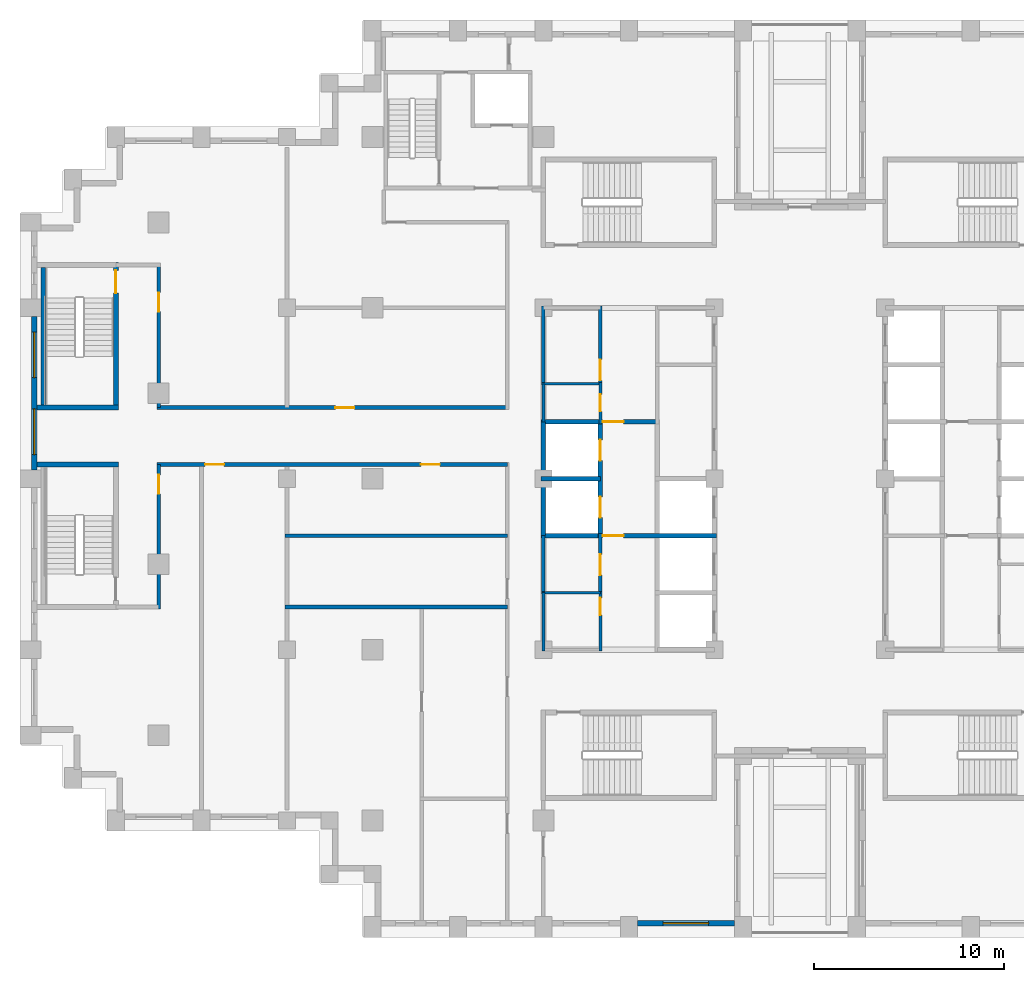
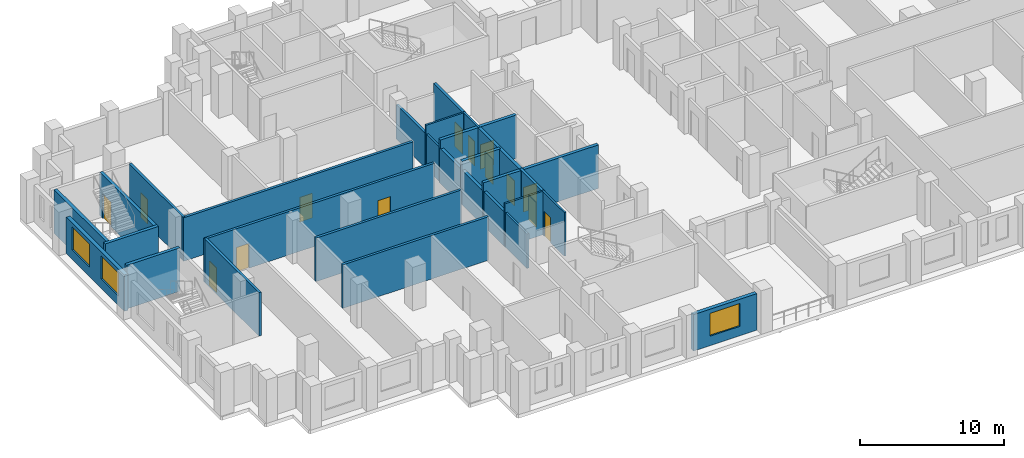
# One storey, part 3 of 12: 27 walls, 14 doors, 3 windows, 17 openings.
"""IFC4 building model written with IfcOpenShell, lengths in metres."""

import ifcopenshell
import ifcopenshell.guid

model = None  # the IFC model being written
_history = None  # IfcOwnerHistory: only IFC2X3 demands one
_inside = {}  # id of a spatial element -> (the spatial element, [elements in it])
_under = {}  # id of a project, library or spatial element -> (it, [spatial elements below it])
_declared = {}  # id of a project -> (the project, [libraries it declares])
_typed = {}  # id of a type object -> (the type object, [elements of that type])
_made_of = {}  # id of a material, layer set ... -> (it, [elements and type objects made of it])


def new_model(schema):
    """Start an empty IFC model of exactly this schema.

    Asked for "IFC4X3", IfcOpenShell would pick the latest addendum, in which some entities
    have other attributes; the version numbers below select the first issue.
    IFC2X3 requires an IfcOwnerHistory on every rooted entity: one is made here for all.
    """
    global model, _history
    if schema == "IFC4X3":
        model = ifcopenshell.file(schema_version=(4, 3, 0, 0))
    else:
        model = ifcopenshell.file(schema=schema)
    _inside.clear()
    _under.clear()
    _declared.clear()
    _typed.clear()
    _made_of.clear()
    _history = None
    if model.schema == "IFC2X3":
        org = make("IfcOrganization", Name="unknown")
        user = make(
            "IfcPersonAndOrganization",
            ThePerson=make("IfcPerson", FamilyName="unknown"),
            TheOrganization=org,
        )
        app = make(
            "IfcApplication",
            ApplicationDeveloper=org,
            Version="unknown",
            ApplicationFullName="unknown",
            ApplicationIdentifier="unknown",
        )
        _history = make(
            "IfcOwnerHistory",
            OwningUser=user,
            OwningApplication=app,
            ChangeAction="ADDED",
            CreationDate=0,
        )
    return model


def make(cls, **values):
    """One entity of the class cls with the attributes given. An attribute that is None is left unset."""
    return model.create_entity(
        cls, **{name: value for name, value in values.items() if value is not None}
    )


def rooted(cls, **values):
    """An entity with a GlobalId (a new one), such as an element, a storey or a relation."""
    return make(cls, GlobalId=ifcopenshell.guid.new(), OwnerHistory=_history, **values)


def si_unit(unit_type, name, prefix=None):
    """IfcSIUnit, for example si_unit("LENGTHUNIT", "METRE", prefix="MILLI")."""
    return make("IfcSIUnit", UnitType=unit_type, Prefix=prefix, Name=name)


def assignment(units):
    """IfcUnitAssignment: the units of a project."""
    return None if units is None else make("IfcUnitAssignment", Units=units)


def point(xyz):
    """IfcCartesianPoint."""
    return None if xyz is None else make("IfcCartesianPoint", Coordinates=xyz)


def direction(xyz):
    """IfcDirection."""
    return None if xyz is None else make("IfcDirection", DirectionRatios=xyz)


def frame(location, z_axis=None, x_axis=None):
    """IfcAxis2Placement3D, a coordinate frame: its origin and axes. An axis left out is left unset."""
    return make(
        "IfcAxis2Placement3D",
        Location=point(location),
        Axis=direction(z_axis),
        RefDirection=direction(x_axis),
    )


def frame_2d(location, x_axis=None):
    """IfcAxis2Placement2D, a coordinate frame in the plane: its origin and x axis."""
    return make(
        "IfcAxis2Placement2D", Location=point(location), RefDirection=direction(x_axis)
    )


def origin():
    """The frame at (0, 0, 0) with its axes left unset."""
    return frame((0.0, 0.0, 0.0))


def place(relative_to, where):
    """IfcLocalPlacement: puts the frame where relative to a parent placement (None: the world)."""
    return make(
        "IfcLocalPlacement", PlacementRelTo=relative_to, RelativePlacement=where
    )


def context(
    kind, dimensions, precision=None, world=None, true_north=None, identifier=None
):
    """IfcGeometricRepresentationContext, for example the 3D "Model" context."""
    return make(
        "IfcGeometricRepresentationContext",
        ContextIdentifier=identifier,
        ContextType=kind,
        CoordinateSpaceDimension=dimensions,
        Precision=precision,
        WorldCoordinateSystem=world,
        TrueNorth=true_north,
    )


def subcontext(parent, identifier, kind, view, scale=None):
    """IfcGeometricRepresentationSubContext, for example "Body" below "Model"."""
    return make(
        "IfcGeometricRepresentationSubContext",
        ContextIdentifier=identifier,
        ContextType=kind,
        ParentContext=parent,
        TargetScale=scale,
        TargetView=view,
    )


def project(units=None, contexts=None):
    """IfcProject with its units and contexts."""
    return rooted(
        "IfcProject",
        Name="project",
        RepresentationContexts=contexts,
        UnitsInContext=assignment(units),
    )


def spatial(cls, under=None, at=None, **own):
    """A site, building, storey or space (cls), placed at a placement, below another one or the project."""
    s = rooted(cls, ObjectPlacement=at, **own)
    if under is not None:
        _under.setdefault(under.id(), (under, []))[1].append(s)
    return s


def profile(cls, at=None, kind="AREA", **sizes):
    """A parametric profile (cls). Its sizes go by their IFC names, for example OverallWidth=200.0."""
    return make(cls, ProfileType=kind, Position=at, **sizes)


def rectangle(**sizes):
    """IfcRectangleProfileDef."""
    return profile("IfcRectangleProfileDef", **sizes)


def extrude(swept, where, along, depth):
    """IfcExtrudedAreaSolid: the profile swept, set in the frame where, extruded along a direction by depth."""
    return make(
        "IfcExtrudedAreaSolid",
        SweptArea=swept,
        Position=where,
        ExtrudedDirection=direction(along),
        Depth=depth,
    )


def shape(context_of_items, identifier, shape_type, items):
    """IfcShapeRepresentation: the items that make up one representation, for example the "Body"."""
    return make(
        "IfcShapeRepresentation",
        ContextOfItems=context_of_items,
        RepresentationIdentifier=identifier,
        RepresentationType=shape_type,
        Items=items,
    )


def material(Name=None, Category=None):
    """IfcMaterial."""
    return make("IfcMaterial", Name=Name, Category=Category)


def layer(
    of_material, thickness, ventilated=None, Name=None, Category=None, Priority=None
):
    """IfcMaterialLayer: one layer of a wall or slab, of a material (None: an air gap)."""
    return make(
        "IfcMaterialLayer",
        Material=of_material,
        LayerThickness=thickness,
        IsVentilated=ventilated,
        Name=Name,
        Category=Category,
        Priority=Priority,
    )


def layer_set(layers, Name=None):
    """IfcMaterialLayerSet."""
    return make("IfcMaterialLayerSet", MaterialLayers=layers, LayerSetName=Name)


def made_of(thing, what):
    """Note that an element or type object is made of a material, layer set ...; save() writes the relation."""
    if what is not None:
        _made_of.setdefault(what.id(), (what, []))[1].append(thing)
    return thing


def type_object(cls, material=None, **own):
    """A type object (cls), such as IfcWallType, which elements share."""
    return made_of(rooted(cls, **own), material)


def element(
    cls,
    number,
    at=None,
    inside=None,
    cuts=None,
    type_object=None,
    material=None,
    context=None,
    identifier="Body",
    shape_type=None,
    held_by="IfcProductDefinitionShape",
    body=None,
    shapes=None,
    **own,
):
    """One element of the class cls, such as IfcWall. Its Tag is "e" and its number.

    at: its placement. inside: the storey or other place that contains it. cuts: it is an
    opening in that element (IfcRelVoidsElement). A single representation is given by context,
    identifier, shape_type and body (its items); several are given by shapes. held_by: the class
    of the entity that holds the representations. save() writes the other relations.
    """
    e = rooted(cls, Tag="e%d" % number, ObjectPlacement=at, **own)
    if body is not None:
        shapes = [shape(context, identifier, shape_type, body)]
    if shapes is not None:
        e.Representation = make(held_by, Representations=shapes)
    if inside is not None:
        _inside.setdefault(inside.id(), (inside, []))[1].append(e)
    if cuts is not None:
        rooted(
            "IfcRelVoidsElement", RelatingBuildingElement=cuts, RelatedOpeningElement=e
        )
    if type_object is not None:
        _typed.setdefault(type_object.id(), (type_object, []))[1].append(e)
    return made_of(e, material)


def fill(opening, filler):
    """IfcRelFillsElement: the door or window that sits in an opening."""
    return rooted(
        "IfcRelFillsElement",
        RelatingOpeningElement=opening,
        RelatedBuildingElement=filler,
    )


def aggregate(whole, parts):
    """IfcRelAggregates: a whole, such as a stair, and the parts it consists of."""
    return rooted("IfcRelAggregates", RelatingObject=whole, RelatedObjects=parts)


def save(model, path):
    """Write the relations noted so far, then the file.

    IfcRelAggregates (storeys below a building ...), IfcRelContainedInSpatialStructure (elements
    in a storey), IfcRelDefinesByType, IfcRelAssociatesMaterial and IfcRelDeclares: one each for
    every whole, place, type object, material and project.
    """
    for whole, parts in _under.values():
        aggregate(whole, parts)
    for where, things in _inside.values():
        rooted(
            "IfcRelContainedInSpatialStructure",
            RelatedElements=things,
            RelatingStructure=where,
        )
    for kind, things in _typed.values():
        rooted("IfcRelDefinesByType", RelatedObjects=things, RelatingType=kind)
    for what, things in _made_of.values():
        rooted("IfcRelAssociatesMaterial", RelatedObjects=things, RelatingMaterial=what)
    for by, libraries in _declared.values():
        rooted("IfcRelDeclares", RelatingContext=by, RelatedDefinitions=libraries)
    model.write(path)


model = new_model("IFC4")

# Units and contexts
model_context = context("Model", 3, precision=1e-05, world=origin(), true_north=direction((0.0, 1.0)))
body_context = subcontext(model_context, "Body", "Model", "MODEL_VIEW")
ifc_project = project(units=[si_unit("LENGTHUNIT", "METRE"), si_unit("AREAUNIT", "SQUARE_METRE"), si_unit("VOLUMEUNIT", "CUBIC_METRE"), si_unit("PLANEANGLEUNIT", "RADIAN"), si_unit("MASSUNIT", "GRAM", prefix="KILO")], contexts=[model_context])

# Site, building, storey
site_placement = place(None, origin())
site = spatial("IfcSite", under=ifc_project, at=site_placement, CompositionType="ELEMENT")
building_placement = place(site_placement, origin())
building = spatial("IfcBuilding", under=site, at=building_placement, Name="Corbelhall Arena Tower", CompositionType="ELEMENT")
storey_placement = place(building_placement, frame((0.0, 0.0, 126.0)))
storey = spatial("IfcBuildingStorey", under=building, at=storey_placement, Name="L23", CompositionType="ELEMENT", Elevation=126.0)

# Wall, openings, windows
ifc_material_1 = material(Name="Precast concrete C40/50 with granite facing", Category="masonry")
ifc_layer_1 = layer(ifc_material_1, 0.300048828125)
ifc_layer_set_1 = layer_set([ifc_layer_1], Name="EV-IW1 Infill panel 300")
wall_type_1 = type_object("IfcWallType", Name="EV-IW1 Infill panel 300", PredefinedType="SOLIDWALL", material=ifc_layer_set_1)
wall_1_placement = place(storey_placement, frame((-40.300048828125, 8.550048828125, 0.0), z_axis=(0.0, 0.0, 1.0), x_axis=(0.0, -1.0, 0.0)))
wall_1 = element("IfcWall", 1, at=wall_1_placement, inside=storey, type_object=wall_type_1, Name="Infill panel IW1", PredefinedType="SOLIDWALL", context=body_context, shape_type="SweptSolid", body=[
    extrude(rectangle(XDim=8.10009765625, YDim=0.300048828125, at=frame_2d((4.050048828125, 0.0))), origin(), (0.0, 0.0, 1.0), 3.10009765625),
])
opening_1_placement = place(wall_1_placement, frame((0.824951171875, 0.0, 0.800048828125)))
opening_1 = element("IfcOpeningElement", 2, at=opening_1_placement, cuts=wall_1, Name="Opening WN1", PredefinedType="OPENING", context=body_context, shape_type="SweptSolid", body=[
    extrude(rectangle(XDim=2.39990234375, YDim=1.949951171875, at=frame_2d((1.199951171875, 0.97509765625))), frame((0.0, 0.14990234375, 0.0), z_axis=(0.0, -1.0, 0.0), x_axis=(1.0, 0.0, 0.0)), (0.0, 0.0, 1.0), 0.300048828125),
])
opening_2_placement = place(wall_1_placement, frame((4.875, 0.0, 0.800048828125)))
opening_2 = element("IfcOpeningElement", 3, at=opening_2_placement, cuts=wall_1, Name="Opening WN1", PredefinedType="OPENING", context=body_context, shape_type="SweptSolid", body=[
    extrude(rectangle(XDim=2.39990234375, YDim=1.949951171875, at=frame_2d((1.199951171875, 0.97509765625))), frame((0.0, 0.14990234375, 0.0), z_axis=(0.0, -1.0, 0.0), x_axis=(1.0, 0.0, 0.0)), (0.0, 0.0, 1.0), 0.300048828125),
])
ifc_material_2 = material(Name="Aluminium black anodised", Category="aluminium")
window_type = type_object("IfcWindowType", Name="EV-WN1 Office window", PartitioningType="SINGLE_PANEL", PredefinedType="WINDOW", material=ifc_material_2)
window_1_placement = place(opening_1_placement, origin())
window_1 = element("IfcWindow", 4, at=window_1_placement, inside=storey, type_object=window_type, Name="Window WN1", OverallHeight=1.949951171875, OverallWidth=2.39990234375, PartitioningType="SINGLE_PANEL", PredefinedType="WINDOW", context=body_context, shape_type="SweptSolid", body=[
    extrude(rectangle(XDim=2.39990234375, YDim=1.949951171875, at=frame_2d((1.199951171875, 0.97509765625))), frame((0.0, 0.030029296875, 0.0), z_axis=(0.0, -1.0, 0.0), x_axis=(1.0, 0.0, 0.0)), (0.0, 0.0, 1.0), 0.06005859375),
])
fill(opening_1, window_1)
window_2_placement = place(opening_2_placement, origin())
window_2 = element("IfcWindow", 5, at=window_2_placement, inside=storey, type_object=window_type, Name="Window WN1", OverallHeight=1.949951171875, OverallWidth=2.39990234375, PartitioningType="SINGLE_PANEL", PredefinedType="WINDOW", context=body_context, shape_type="SweptSolid", body=[
    extrude(rectangle(XDim=2.39990234375, YDim=1.949951171875, at=frame_2d((1.199951171875, 0.97509765625))), frame((0.0, 0.030029296875, 0.0), z_axis=(0.0, -1.0, 0.0), x_axis=(1.0, 0.0, 0.0)), (0.0, 0.0, 1.0), 0.06005859375),
])
fill(opening_2, window_2)

# Wall, opening, window
wall_2_placement = place(storey_placement, frame((-8.550048828125, -23.39990234375, 0.0), z_axis=(0.0, 0.0, 1.0), x_axis=(1.0, 0.0, 0.0)))
wall_2 = element("IfcWall", 6, at=wall_2_placement, inside=storey, type_object=wall_type_1, Name="Infill panel IW1", PredefinedType="SOLIDWALL", context=body_context, shape_type="SweptSolid", body=[
    extrude(rectangle(XDim=5.10009765625, YDim=0.300048828125, at=frame_2d((2.550048828125, 0.0))), origin(), (0.0, 0.0, 1.0), 3.10009765625),
])
opening_3_placement = place(wall_2_placement, frame((1.35009765625, 0.0, 0.800048828125)))
opening_3 = element("IfcOpeningElement", 7, at=opening_3_placement, cuts=wall_2, Name="Opening WN1", PredefinedType="OPENING", context=body_context, shape_type="SweptSolid", body=[
    extrude(rectangle(XDim=2.39990234375, YDim=1.949951171875, at=frame_2d((1.199951171875, 0.97509765625))), frame((0.0, 0.14990234375, 0.0), z_axis=(0.0, -1.0, 0.0), x_axis=(1.0, 0.0, 0.0)), (0.0, 0.0, 1.0), 0.300048828125),
])
window_3_placement = place(opening_3_placement, origin())
window_3 = element("IfcWindow", 8, at=window_3_placement, inside=storey, type_object=window_type, Name="Window WN1", OverallHeight=1.949951171875, OverallWidth=2.39990234375, PartitioningType="SINGLE_PANEL", PredefinedType="WINDOW", context=body_context, shape_type="SweptSolid", body=[
    extrude(rectangle(XDim=2.39990234375, YDim=1.949951171875, at=frame_2d((1.199951171875, 0.97509765625))), frame((0.0, 0.030029296875, 0.0), z_axis=(0.0, -1.0, 0.0), x_axis=(1.0, 0.0, 0.0)), (0.0, 0.0, 1.0), 0.06005859375),
])
fill(opening_3, window_3)

# Wall, opening, door
ifc_material_3 = material(Name="Gypsum board on steel stud, acoustic", Category="steel")
ifc_layer_2 = layer(ifc_material_3, 0.199951171875)
ifc_layer_set_2 = layer_set([ifc_layer_2], Name="IN-W-DM200")
wall_type_2 = type_object("IfcWallType", Name="IN-W-DM200", PredefinedType="PARTITIONING", material=ifc_layer_set_2)
wall_3_placement = place(storey_placement, frame((-33.85009765625, 3.75, 0.0), z_axis=(0.0, 0.0, 1.0), x_axis=(1.0, 0.0, 0.0)))
wall_3 = element("IfcWall", 9, at=wall_3_placement, inside=storey, type_object=wall_type_2, Name="Partition 002", PredefinedType="PARTITIONING", context=body_context, shape_type="SweptSolid", body=[
    extrude(rectangle(XDim=18.4501953125, YDim=0.199951171875, at=frame_2d((9.22509765625, 0.0))), origin(), (0.0, 0.0, 1.0), 3.699951171875),
])
opening_4_placement = place(wall_3_placement, frame((9.39990234375, 0.0, 0.0)))
opening_4 = element("IfcOpeningElement", 10, at=opening_4_placement, cuts=wall_3, Name="Opening 06026", PredefinedType="OPENING", context=body_context, shape_type="SweptSolid", body=[
    extrude(rectangle(XDim=1.0, YDim=2.10009765625, at=frame_2d((0.5, 1.050048828125))), frame((0.0, 0.10009765625, 0.0), z_axis=(0.0, -1.0, 0.0), x_axis=(1.0, 0.0, 0.0)), (0.0, 0.0, 1.0), 0.199951171875),
])
ifc_material_4 = material(Name="Steel door set", Category="steel")
door_type_1 = type_object("IfcDoorType", Name="IN-D-SW100", OperationType="NOTDEFINED", PredefinedType="DOOR", material=ifc_material_4)
door_1_placement = place(opening_4_placement, origin())
door_1 = element("IfcDoor", 11, at=door_1_placement, inside=storey, type_object=door_type_1, Name="Door 026", OperationType="SINGLE_SWING_LEFT", OverallHeight=2.10009765625, OverallWidth=1.0, PredefinedType="DOOR", context=body_context, shape_type="SweptSolid", body=[
    extrude(rectangle(XDim=1.0, YDim=2.10009765625, at=frame_2d((0.5, 1.050048828125))), frame((0.0, 0.02490234375, 0.0), z_axis=(0.0, -1.0, 0.0), x_axis=(1.0, 0.0, 0.0)), (0.0, 0.0, 1.0), 0.050048828125),
])
fill(opening_4, door_1)

wall_4_placement = place(storey_placement, frame((-33.75, 0.75, 0.0), z_axis=(0.0, 0.0, 1.0), x_axis=(0.0, -1.0, 0.0)))
wall_4 = element("IfcWall", 12, at=wall_4_placement, inside=storey, type_object=wall_type_2, Name="Partition 004", PredefinedType="PARTITIONING", context=body_context, shape_type="SweptSolid", body=[
    extrude(rectangle(XDim=7.60009765625, YDim=0.199951171875, at=frame_2d((3.800048828125, 0.0))), origin(), (0.0, 0.0, 1.0), 3.699951171875),
])
opening_5_placement = place(wall_4_placement, frame((0.550048828125, 0.0, 0.0)))
opening_5 = element("IfcOpeningElement", 13, at=opening_5_placement, cuts=wall_4, Name="Opening 06040", PredefinedType="OPENING", context=body_context, shape_type="SweptSolid", body=[
    extrude(rectangle(XDim=1.0, YDim=2.10009765625, at=frame_2d((0.5, 1.050048828125))), frame((0.0, 0.10009765625, 0.0), z_axis=(0.0, -1.0, 0.0), x_axis=(1.0, 0.0, 0.0)), (0.0, 0.0, 1.0), 0.199951171875),
])
door_2_placement = place(opening_5_placement, origin())
door_2 = element("IfcDoor", 14, at=door_2_placement, inside=storey, type_object=door_type_1, Name="Door 040", OperationType="SINGLE_SWING_LEFT", OverallHeight=2.10009765625, OverallWidth=1.0, PredefinedType="DOOR", context=body_context, shape_type="SweptSolid", body=[
    extrude(rectangle(XDim=1.0, YDim=2.10009765625, at=frame_2d((0.5, 1.050048828125))), frame((0.0, 0.02490234375, 0.0), z_axis=(0.0, -1.0, 0.0), x_axis=(1.0, 0.0, 0.0)), (0.0, 0.0, 1.0), 0.050048828125),
])
fill(opening_5, door_2)

wall_5_placement = place(storey_placement, frame((-33.75, 11.25, 0.0), z_axis=(0.0, 0.0, 1.0), x_axis=(0.0, -1.0, 0.0)))
wall_5 = element("IfcWall", 15, at=wall_5_placement, inside=storey, type_object=wall_type_2, Name="Partition 005", PredefinedType="PARTITIONING", context=body_context, shape_type="SweptSolid", body=[
    extrude(rectangle(XDim=7.5, YDim=0.199951171875, at=frame_2d((3.75, 0.0))), origin(), (0.0, 0.0, 1.0), 3.699951171875),
])
opening_6_placement = place(wall_5_placement, frame((1.449951171875, 0.0, 0.0)))
opening_6 = element("IfcOpeningElement", 16, at=opening_6_placement, cuts=wall_5, Name="Opening 06039", PredefinedType="OPENING", context=body_context, shape_type="SweptSolid", body=[
    extrude(rectangle(XDim=1.0, YDim=2.10009765625, at=frame_2d((0.5, 1.050048828125))), frame((0.0, 0.10009765625, 0.0), z_axis=(0.0, -1.0, 0.0), x_axis=(1.0, 0.0, 0.0)), (0.0, 0.0, 1.0), 0.199951171875),
])
door_3_placement = place(opening_6_placement, origin())
door_3 = element("IfcDoor", 17, at=door_3_placement, inside=storey, type_object=door_type_1, Name="Door 039", OperationType="SINGLE_SWING_RIGHT", OverallHeight=2.10009765625, OverallWidth=1.0, PredefinedType="DOOR", context=body_context, shape_type="SweptSolid", body=[
    extrude(rectangle(XDim=1.0, YDim=2.10009765625, at=frame_2d((0.5, 1.050048828125))), frame((0.0, 0.02490234375, 0.0), z_axis=(0.0, -1.0, 0.0), x_axis=(1.0, 0.0, 0.0)), (0.0, 0.0, 1.0), 0.050048828125),
])
fill(opening_6, door_3)

# Wall, openings, doors
wall_6_placement = place(storey_placement, frame((-15.39990234375, 0.75, 0.0), z_axis=(0.0, 0.0, 1.0), x_axis=(-1.0, 0.0, 0.0)))
wall_6 = element("IfcWall", 18, at=wall_6_placement, inside=storey, type_object=wall_type_2, Name="Partition 007", PredefinedType="PARTITIONING", context=body_context, shape_type="SweptSolid", body=[
    extrude(rectangle(XDim=18.4501953125, YDim=0.199951171875, at=frame_2d((9.22509765625, 0.0))), origin(), (0.0, 0.0, 1.0), 3.699951171875),
])
opening_7_placement = place(wall_6_placement, frame((3.550048828125, 0.0, 0.0)))
opening_7 = element("IfcOpeningElement", 19, at=opening_7_placement, cuts=wall_6, Name="Opening 06032", PredefinedType="OPENING", context=body_context, shape_type="SweptSolid", body=[
    extrude(rectangle(XDim=1.0, YDim=2.10009765625, at=frame_2d((0.5, 1.050048828125))), frame((0.0, 0.10009765625, 0.0), z_axis=(0.0, -1.0, 0.0), x_axis=(1.0, 0.0, 0.0)), (0.0, 0.0, 1.0), 0.199951171875),
])
opening_8_placement = place(wall_6_placement, frame((14.89990234375, 0.0, 0.0)))
opening_8 = element("IfcOpeningElement", 20, at=opening_8_placement, cuts=wall_6, Name="Opening 06041", PredefinedType="OPENING", context=body_context, shape_type="SweptSolid", body=[
    extrude(rectangle(XDim=1.0, YDim=2.10009765625, at=frame_2d((0.5, 1.050048828125))), frame((0.0, 0.10009765625, 0.0), z_axis=(0.0, -1.0, 0.0), x_axis=(1.0, 0.0, 0.0)), (0.0, 0.0, 1.0), 0.199951171875),
])
door_4_placement = place(opening_7_placement, origin())
door_4 = element("IfcDoor", 21, at=door_4_placement, inside=storey, type_object=door_type_1, Name="Door 032", OperationType="SINGLE_SWING_LEFT", OverallHeight=2.10009765625, OverallWidth=1.0, PredefinedType="DOOR", context=body_context, shape_type="SweptSolid", body=[
    extrude(rectangle(XDim=1.0, YDim=2.10009765625, at=frame_2d((0.5, 1.050048828125))), frame((0.0, 0.02490234375, 0.0), z_axis=(0.0, -1.0, 0.0), x_axis=(1.0, 0.0, 0.0)), (0.0, 0.0, 1.0), 0.050048828125),
])
fill(opening_7, door_4)
door_5_placement = place(opening_8_placement, origin())
door_5 = element("IfcDoor", 22, at=door_5_placement, inside=storey, type_object=door_type_1, Name="Door 041", OperationType="SINGLE_SWING_RIGHT", OverallHeight=2.10009765625, OverallWidth=1.0, PredefinedType="DOOR", context=body_context, shape_type="SweptSolid", body=[
    extrude(rectangle(XDim=1.0, YDim=2.10009765625, at=frame_2d((0.5, 1.050048828125))), frame((0.0, 0.02490234375, 0.0), z_axis=(0.0, -1.0, 0.0), x_axis=(1.0, 0.0, 0.0)), (0.0, 0.0, 1.0), 0.050048828125),
])
fill(opening_8, door_5)

# Walls
for number, where, z_axis, x_axis, name in (
    (23, (-27.10009765625, -6.75, 0.0), (0.0, 0.0, 1.0), (1.0, 0.0, 0.0), "Partition 008"),
    (24, (-27.10009765625, -3.0, 0.0), (0.0, 0.0, 1.0), (1.0, 0.0, 0.0), "Partition 009"),
):
    element("IfcWall", number, at=place(storey_placement, frame(where, z_axis=z_axis, x_axis=x_axis)), inside=storey, type_object=wall_type_2, Name=name, PredefinedType="PARTITIONING", context=body_context, shape_type="SweptSolid", body=[
        extrude(rectangle(XDim=11.7001953125, YDim=0.199951171875, at=frame_2d((5.85009765625, 0.0))), origin(), (0.0, 0.0, 1.0), 3.699951171875),
    ])

# Wall, opening, door
ifc_material_5 = material(Name="Concrete block wall", Category="concrete")
ifc_layer_3 = layer(ifc_material_5, 0.199951171875)
ifc_layer_set_3 = layer_set([ifc_layer_3], Name="IN-W-RS200")
wall_type_3 = type_object("IfcWallType", Name="IN-W-RS200", PredefinedType="SOLIDWALL", material=ifc_layer_set_3)
wall_7_placement = place(storey_placement, frame((-10.5, -6.074951171875, 0.0), z_axis=(0.0, 0.0, 1.0), x_axis=(0.0, 1.0, 0.0)))
wall_7 = element("IfcWall", 25, at=wall_7_placement, inside=storey, type_object=wall_type_3, Name="Partition 048", PredefinedType="SOLIDWALL", context=body_context, shape_type="SweptSolid", body=[
    extrude(rectangle(XDim=3.199951171875, YDim=0.199951171875, at=frame_2d((1.60009765625, 0.0))), origin(), (0.0, 0.0, 1.0), 3.699951171875),
])
opening_9_placement = place(wall_7_placement, frame((1.0, 0.0, 0.0)))
opening_9 = element("IfcOpeningElement", 26, at=opening_9_placement, cuts=wall_7, Name="Opening 06006", PredefinedType="OPENING", context=body_context, shape_type="SweptSolid", body=[
    extrude(rectangle(XDim=1.10009765625, YDim=2.10009765625, at=frame_2d((0.550048828125, 1.050048828125))), frame((0.0, 0.10009765625, 0.0), z_axis=(0.0, -1.0, 0.0), x_axis=(1.0, 0.0, 0.0)), (0.0, 0.0, 1.0), 0.199951171875),
])
door_type_2 = type_object("IfcDoorType", Name="IN-D-FD110", OperationType="NOTDEFINED", PredefinedType="DOOR", material=ifc_material_4)
door_6_placement = place(opening_9_placement, origin())
door_6 = element("IfcDoor", 27, at=door_6_placement, inside=storey, type_object=door_type_2, Name="Door 006", OperationType="SINGLE_SWING_LEFT", OverallHeight=2.10009765625, OverallWidth=1.10009765625, PredefinedType="DOOR", context=body_context, shape_type="SweptSolid", body=[
    extrude(rectangle(XDim=1.10009765625, YDim=2.10009765625, at=frame_2d((0.550048828125, 1.050048828125))), frame((0.0, 0.02490234375, 0.0), z_axis=(0.0, -1.0, 0.0), x_axis=(1.0, 0.0, 0.0)), (0.0, 0.0, 1.0), 0.050048828125),
])
fill(opening_9, door_6)

wall_8_placement = place(storey_placement, frame((-10.5, 4.925048828125, 0.0), z_axis=(0.0, 0.0, 1.0), x_axis=(0.0, 1.0, 0.0)))
wall_8 = element("IfcWall", 28, at=wall_8_placement, inside=storey, type_object=wall_type_3, Name="Partition 049", PredefinedType="SOLIDWALL", context=body_context, shape_type="SweptSolid", body=[
    extrude(rectangle(XDim=4.175048828125, YDim=0.199951171875, at=frame_2d((2.08740234375, 0.0))), origin(), (0.0, 0.0, 1.0), 3.699951171875),
])
opening_10_placement = place(wall_8_placement, frame((0.25, 0.0, 0.0)))
opening_10 = element("IfcOpeningElement", 29, at=opening_10_placement, cuts=wall_8, Name="Opening 06007", PredefinedType="OPENING", context=body_context, shape_type="SweptSolid", body=[
    extrude(rectangle(XDim=1.10009765625, YDim=2.10009765625, at=frame_2d((0.550048828125, 1.050048828125))), frame((0.0, 0.10009765625, 0.0), z_axis=(0.0, -1.0, 0.0), x_axis=(1.0, 0.0, 0.0)), (0.0, 0.0, 1.0), 0.199951171875),
])
door_7_placement = place(opening_10_placement, origin())
door_7 = element("IfcDoor", 30, at=door_7_placement, inside=storey, type_object=door_type_2, Name="Door 007", OperationType="SINGLE_SWING_RIGHT", OverallHeight=2.10009765625, OverallWidth=1.10009765625, PredefinedType="DOOR", context=body_context, shape_type="SweptSolid", body=[
    extrude(rectangle(XDim=1.10009765625, YDim=2.10009765625, at=frame_2d((0.550048828125, 1.050048828125))), frame((0.0, 0.02490234375, 0.0), z_axis=(0.0, -1.0, 0.0), x_axis=(1.0, 0.0, 0.0)), (0.0, 0.0, 1.0), 0.050048828125),
])
fill(opening_10, door_7)

# Walls
ifc_layer_4 = layer(ifc_material_5, 0.199951171875)
ifc_layer_set_4 = layer_set([ifc_layer_4], Name="IN-W-RS200 under beam 762 mm")
wall_type_4 = type_object("IfcWallType", Name="IN-W-RS200 under beam 762 mm", PredefinedType="SOLIDWALL", material=ifc_layer_set_4)
wall_9_placement = place(storey_placement, frame((-13.5, -6.0, 0.0), z_axis=(0.0, 0.0, 1.0), x_axis=(0.0, 1.0, 0.0)))
element("IfcWall", 31, at=wall_9_placement, inside=storey, type_object=wall_type_4, Name="Partition 045", PredefinedType="SOLIDWALL", context=body_context, shape_type="SweptSolid", body=[
    extrude(rectangle(XDim=3.0, YDim=0.199951171875, at=frame_2d((1.5, 0.0))), origin(), (0.0, 0.0, 1.0), 2.93798828125),
])
wall_10_placement = place(storey_placement, frame((-13.5, 5.0, 0.0), z_axis=(0.0, 0.0, 1.0), x_axis=(0.0, 1.0, 0.0)))
element("IfcWall", 32, at=wall_10_placement, inside=storey, type_object=wall_type_4, Name="Partition 046", PredefinedType="SOLIDWALL", context=body_context, shape_type="SweptSolid", body=[
    extrude(rectangle(XDim=4.10009765625, YDim=0.199951171875, at=frame_2d((2.050048828125, 0.0))), origin(), (0.0, 0.0, 1.0), 2.93798828125),
])
ifc_material_6 = material(Name="Concrete C40/50", Category="concrete")
ifc_layer_5 = layer(ifc_material_6, 0.25)
ifc_layer_set_5 = layer_set([ifc_layer_5], Name="IN-W-SH250")
wall_type_5 = type_object("IfcWallType", Name="IN-W-SH250", PredefinedType="SOLIDWALL", material=ifc_layer_set_5)
wall_11_placement = place(storey_placement, frame((-13.625, 0.0, 0.0), z_axis=(0.0, 0.0, 1.0), x_axis=(1.0, 0.0, 0.0)))
element("IfcWall", 33, at=wall_11_placement, inside=storey, type_object=wall_type_5, Name="Shaft wall 063", PredefinedType="SOLIDWALL", context=body_context, shape_type="SweptSolid", body=[
    extrude(rectangle(XDim=3.125, YDim=0.25, at=frame_2d((1.5625, 0.0))), origin(), (0.0, 0.0, 1.0), 3.699951171875),
])

# Wall, opening, door
wall_12_placement = place(storey_placement, frame((-13.625, 3.0, 0.0), z_axis=(0.0, 0.0, 1.0), x_axis=(1.0, 0.0, 0.0)))
wall_12 = element("IfcWall", 34, at=wall_12_placement, inside=storey, type_object=wall_type_5, Name="Shaft wall 064", PredefinedType="SOLIDWALL", context=body_context, shape_type="SweptSolid", body=[
    extrude(rectangle(XDim=6.125, YDim=0.25, at=frame_2d((3.0625, 0.0))), origin(), (0.0, 0.0, 1.0), 3.699951171875),
])
opening_11_placement = place(wall_12_placement, frame((3.25, 0.0, 0.0)))
opening_11 = element("IfcOpeningElement", 35, at=opening_11_placement, cuts=wall_12, Name="Opening 06004", PredefinedType="OPENING", context=body_context, shape_type="SweptSolid", body=[
    extrude(rectangle(XDim=1.10009765625, YDim=2.10009765625, at=frame_2d((0.550048828125, 1.050048828125))), frame((0.0, 0.125, 0.0), z_axis=(0.0, -1.0, 0.0), x_axis=(1.0, 0.0, 0.0)), (0.0, 0.0, 1.0), 0.25),
])
door_8_placement = place(opening_11_placement, origin())
door_8 = element("IfcDoor", 36, at=door_8_placement, inside=storey, type_object=door_type_2, Name="Door 004", OperationType="SINGLE_SWING_LEFT", OverallHeight=2.10009765625, OverallWidth=1.10009765625, PredefinedType="DOOR", context=body_context, shape_type="SweptSolid", body=[
    extrude(rectangle(XDim=1.10009765625, YDim=2.10009765625, at=frame_2d((0.550048828125, 1.050048828125))), frame((0.0, 0.02490234375, 0.0), z_axis=(0.0, -1.0, 0.0), x_axis=(1.0, 0.0, 0.0)), (0.0, 0.0, 1.0), 0.050048828125),
])
fill(opening_11, door_8)

wall_13_placement = place(storey_placement, frame((-13.625, -3.0, 0.0), z_axis=(0.0, 0.0, 1.0), x_axis=(1.0, 0.0, 0.0)))
wall_13 = element("IfcWall", 37, at=wall_13_placement, inside=storey, type_object=wall_type_5, Name="Shaft wall 066", PredefinedType="SOLIDWALL", context=body_context, shape_type="SweptSolid", body=[
    extrude(rectangle(XDim=9.25, YDim=0.25, at=frame_2d((4.625, 0.0))), origin(), (0.0, 0.0, 1.0), 3.699951171875),
])
opening_12_placement = place(wall_13_placement, frame((3.25, 0.0, 0.0)))
opening_12 = element("IfcOpeningElement", 38, at=opening_12_placement, cuts=wall_13, Name="Opening 06003", PredefinedType="OPENING", context=body_context, shape_type="SweptSolid", body=[
    extrude(rectangle(XDim=1.10009765625, YDim=2.10009765625, at=frame_2d((0.550048828125, 1.050048828125))), frame((0.0, 0.125, 0.0), z_axis=(0.0, -1.0, 0.0), x_axis=(1.0, 0.0, 0.0)), (0.0, 0.0, 1.0), 0.25),
])
door_9_placement = place(opening_12_placement, origin())
door_9 = element("IfcDoor", 39, at=door_9_placement, inside=storey, type_object=door_type_2, Name="Door 003", OperationType="SINGLE_SWING_RIGHT", OverallHeight=2.10009765625, OverallWidth=1.10009765625, PredefinedType="DOOR", context=body_context, shape_type="SweptSolid", body=[
    extrude(rectangle(XDim=1.10009765625, YDim=2.10009765625, at=frame_2d((0.550048828125, 1.050048828125))), frame((0.0, 0.02490234375, 0.0), z_axis=(0.0, -1.0, 0.0), x_axis=(1.0, 0.0, 0.0)), (0.0, 0.0, 1.0), 0.050048828125),
])
fill(opening_12, door_9)

# Wall, openings, doors
wall_14_placement = place(storey_placement, frame((-10.5, -3.125, 0.0), z_axis=(0.0, 0.0, 1.0), x_axis=(0.0, 1.0, 0.0)))
wall_14 = element("IfcWall", 40, at=wall_14_placement, inside=storey, type_object=wall_type_5, Name="Shaft wall 067", PredefinedType="SOLIDWALL", context=body_context, shape_type="SweptSolid", body=[
    extrude(rectangle(XDim=6.25, YDim=0.25, at=frame_2d((3.125, 0.0))), origin(), (0.0, 0.0, 1.0), 3.699951171875),
])
opening_13_placement = place(wall_14_placement, frame((1.074951171875, 0.0, 0.0)))
opening_13 = element("IfcOpeningElement", 41, at=opening_13_placement, cuts=wall_14, Name="Opening LD", PredefinedType="OPENING", context=body_context, shape_type="SweptSolid", body=[
    extrude(rectangle(XDim=1.10009765625, YDim=2.10009765625, at=frame_2d((0.550048828125, 1.050048828125))), frame((0.0, 0.125, 0.0), z_axis=(0.0, -1.0, 0.0), x_axis=(1.0, 0.0, 0.0)), (0.0, 0.0, 1.0), 0.25),
])
opening_14_placement = place(wall_14_placement, frame((4.074951171875, 0.0, 0.0)))
opening_14 = element("IfcOpeningElement", 42, at=opening_14_placement, cuts=wall_14, Name="Opening LD", PredefinedType="OPENING", context=body_context, shape_type="SweptSolid", body=[
    extrude(rectangle(XDim=1.10009765625, YDim=2.10009765625, at=frame_2d((0.550048828125, 1.050048828125))), frame((0.0, 0.125, 0.0), z_axis=(0.0, -1.0, 0.0), x_axis=(1.0, 0.0, 0.0)), (0.0, 0.0, 1.0), 0.25),
])
door_type_3 = type_object("IfcDoorType", Name="IN-D-LD110", OperationType="NOTDEFINED", PredefinedType="DOOR", material=ifc_material_4)
door_10_placement = place(opening_13_placement, origin())
door_10 = element("IfcDoor", 43, at=door_10_placement, inside=storey, type_object=door_type_3, Name="Landing door W3", OperationType="SLIDING_TO_LEFT", OverallHeight=2.10009765625, OverallWidth=1.10009765625, PredefinedType="DOOR", context=body_context, shape_type="SweptSolid", body=[
    extrude(rectangle(XDim=1.10009765625, YDim=2.10009765625, at=frame_2d((0.550048828125, 1.050048828125))), frame((0.0, 0.02490234375, 0.0), z_axis=(0.0, -1.0, 0.0), x_axis=(1.0, 0.0, 0.0)), (0.0, 0.0, 1.0), 0.050048828125),
])
fill(opening_13, door_10)
door_11_placement = place(opening_14_placement, origin())
door_11 = element("IfcDoor", 44, at=door_11_placement, inside=storey, type_object=door_type_3, Name="Landing door W4", OperationType="SLIDING_TO_LEFT", OverallHeight=2.10009765625, OverallWidth=1.10009765625, PredefinedType="DOOR", context=body_context, shape_type="SweptSolid", body=[
    extrude(rectangle(XDim=1.10009765625, YDim=2.10009765625, at=frame_2d((0.550048828125, 1.050048828125))), frame((0.0, 0.02490234375, 0.0), z_axis=(0.0, -1.0, 0.0), x_axis=(1.0, 0.0, 0.0)), (0.0, 0.0, 1.0), 0.050048828125),
])
fill(opening_14, door_11)

# Walls
ifc_layer_6 = layer(ifc_material_6, 0.25)
ifc_layer_set_6 = layer_set([ifc_layer_6], Name="IN-W-SH250 under beam 762 mm")
wall_type_6 = type_object("IfcWallType", Name="IN-W-SH250 under beam 762 mm", PredefinedType="SOLIDWALL", material=ifc_layer_set_6)
wall_15_placement = place(storey_placement, frame((-13.5, -3.0, 0.0), z_axis=(0.0, 0.0, 1.0), x_axis=(0.0, 1.0, 0.0)))
element("IfcWall", 45, at=wall_15_placement, inside=storey, type_object=wall_type_6, Name="Shaft wall 065", PredefinedType="SOLIDWALL", context=body_context, shape_type="SweptSolid", body=[
    extrude(rectangle(XDim=6.0, YDim=0.25, at=frame_2d((3.0, 0.0))), origin(), (0.0, 0.0, 1.0), 2.93798828125),
])
ifc_layer_7 = layer(ifc_material_6, 0.25)
ifc_layer_set_7 = layer_set([ifc_layer_7], Name="IN-W-ST250")
wall_type_7 = type_object("IfcWallType", Name="IN-W-ST250", PredefinedType="SOLIDWALL", material=ifc_layer_set_7)
wall_16_placement = place(storey_placement, frame((-40.14990234375, 3.75, 0.0), z_axis=(0.0, 0.0, 1.0), x_axis=(1.0, 0.0, 0.0)))
element("IfcWall", 46, at=wall_16_placement, inside=storey, type_object=wall_type_7, Name="Shaft wall 084", PredefinedType="SOLIDWALL", context=body_context, shape_type="SweptSolid", body=[
    extrude(rectangle(XDim=4.27490234375, YDim=0.25, at=frame_2d((2.137451171875, 0.0))), origin(), (0.0, 0.0, 1.0), 3.699951171875),
])

# Wall, opening, door
wall_17_placement = place(storey_placement, frame((-36.0, 11.375, 0.0), z_axis=(0.0, 0.0, 1.0), x_axis=(0.0, -1.0, 0.0)))
wall_17 = element("IfcWall", 47, at=wall_17_placement, inside=storey, type_object=wall_type_7, Name="Shaft wall 088", PredefinedType="SOLIDWALL", context=body_context, shape_type="SweptSolid", body=[
    extrude(rectangle(XDim=7.625, YDim=0.25, at=frame_2d((3.8125, 0.0))), origin(), (0.0, 0.0, 1.0), 3.699951171875),
])
opening_15_placement = place(wall_17_placement, frame((0.39990234375, 0.0, 0.0)))
opening_15 = element("IfcOpeningElement", 48, at=opening_15_placement, cuts=wall_17, Name="Opening 06019", PredefinedType="OPENING", context=body_context, shape_type="SweptSolid", body=[
    extrude(rectangle(XDim=1.199951171875, YDim=2.10009765625, at=frame_2d((0.60009765625, 1.050048828125))), frame((0.0, 0.125, 0.0), z_axis=(0.0, -1.0, 0.0), x_axis=(1.0, 0.0, 0.0)), (0.0, 0.0, 1.0), 0.25),
])
door_type_4 = type_object("IfcDoorType", Name="IN-D-ST120", OperationType="NOTDEFINED", PredefinedType="DOOR", material=ifc_material_4)
door_12_placement = place(opening_15_placement, origin())
door_12 = element("IfcDoor", 49, at=door_12_placement, inside=storey, type_object=door_type_4, Name="Door 019", OperationType="SINGLE_SWING_RIGHT", OverallHeight=2.10009765625, OverallWidth=1.199951171875, PredefinedType="DOOR", context=body_context, shape_type="SweptSolid", body=[
    extrude(rectangle(XDim=1.199951171875, YDim=2.10009765625, at=frame_2d((0.60009765625, 1.050048828125))), frame((0.0, 0.02490234375, 0.0), z_axis=(0.0, -1.0, 0.0), x_axis=(1.0, 0.0, 0.0)), (0.0, 0.0, 1.0), 0.050048828125),
])
fill(opening_15, door_12)

# Walls
wall_18_placement = place(storey_placement, frame((-35.875, 0.75, 0.0), z_axis=(0.0, 0.0, 1.0), x_axis=(-1.0, 0.0, 0.0)))
element("IfcWall", 50, at=wall_18_placement, inside=storey, type_object=wall_type_7, Name="Shaft wall 089", PredefinedType="SOLIDWALL", context=body_context, shape_type="SweptSolid", body=[
    extrude(rectangle(XDim=4.27490234375, YDim=0.25, at=frame_2d((2.137451171875, 0.0))), origin(), (0.0, 0.0, 1.0), 3.699951171875),
])
wall_19_placement = place(storey_placement, frame((-39.824951171875, 3.875, 0.0), z_axis=(0.0, 0.0, 1.0), x_axis=(0.0, 1.0, 0.0)))
element("IfcWall", 51, at=wall_19_placement, inside=storey, type_object=wall_type_7, Name="Shaft wall SC1 facade side", PredefinedType="SOLIDWALL", context=body_context, shape_type="SweptSolid", body=[
    extrude(rectangle(XDim=7.25, YDim=0.25, at=frame_2d((3.625, 0.0))), origin(), (0.0, 0.0, 1.0), 3.699951171875),
])
ifc_material_7 = material(Name="Gypsum board on steel stud, moisture resistant", Category="steel")
ifc_layer_8 = layer(ifc_material_7, 0.14990234375)
ifc_layer_set_8 = layer_set([ifc_layer_8], Name="IN-W-WC150")
wall_type_8 = type_object("IfcWallType", Name="IN-W-WC150", PredefinedType="PARTITIONING", material=ifc_layer_set_8)
for number, where, z_axis, x_axis, name in (
    (52, (-13.60009765625, -6.0, 0.0), (0.0, 0.0, 1.0), (1.0, 0.0, 0.0), "Partition 111"),
    (53, (-13.60009765625, 5.0, 0.0), (0.0, 0.0, 1.0), (1.0, 0.0, 0.0), "Partition 112"),
):
    element("IfcWall", number, at=place(storey_placement, frame(where, z_axis=z_axis, x_axis=x_axis)), inside=storey, type_object=wall_type_8, Name=name, PredefinedType="PARTITIONING", context=body_context, shape_type="SweptSolid", body=[
        extrude(rectangle(XDim=3.10009765625, YDim=0.14990234375, at=frame_2d((1.550048828125, 0.0))), origin(), (0.0, 0.0, 1.0), 3.699951171875),
    ])

# Wall, opening, door
wall_20_placement = place(storey_placement, frame((-10.5, -9.074951171875, 0.0), z_axis=(0.0, 0.0, 1.0), x_axis=(0.0, 1.0, 0.0)))
wall_20 = element("IfcWall", 54, at=wall_20_placement, inside=storey, type_object=wall_type_8, Name="Partition 115", PredefinedType="PARTITIONING", context=body_context, shape_type="SweptSolid", body=[
    extrude(rectangle(XDim=3.14990234375, YDim=0.14990234375, at=frame_2d((1.574951171875, 0.0))), origin(), (0.0, 0.0, 1.0), 3.699951171875),
])
opening_16_placement = place(wall_20_placement, frame((1.89990234375, 0.0, 0.0)))
opening_16 = element("IfcOpeningElement", 55, at=opening_16_placement, cuts=wall_20, Name="Opening 06005", PredefinedType="OPENING", context=body_context, shape_type="SweptSolid", body=[
    extrude(rectangle(XDim=0.89990234375, YDim=2.10009765625, at=frame_2d((0.449951171875, 1.050048828125))), frame((0.0, 0.074951171875, 0.0), z_axis=(0.0, -1.0, 0.0), x_axis=(1.0, 0.0, 0.0)), (0.0, 0.0, 1.0), 0.14990234375),
])
ifc_material_8 = material(Name="Timber door set", Category="wood")
door_type_5 = type_object("IfcDoorType", Name="IN-D-SW90", OperationType="NOTDEFINED", PredefinedType="DOOR", material=ifc_material_8)
door_13_placement = place(opening_16_placement, origin())
door_13 = element("IfcDoor", 56, at=door_13_placement, inside=storey, type_object=door_type_5, Name="Door 005", OperationType="SINGLE_SWING_RIGHT", OverallHeight=2.10009765625, OverallWidth=0.89990234375, PredefinedType="DOOR", context=body_context, shape_type="SweptSolid", body=[
    extrude(rectangle(XDim=0.89990234375, YDim=2.10009765625, at=frame_2d((0.449951171875, 1.050048828125))), frame((0.0, 0.02490234375, 0.0), z_axis=(0.0, -1.0, 0.0), x_axis=(1.0, 0.0, 0.0)), (0.0, 0.0, 1.0), 0.050048828125),
])
fill(opening_16, door_13)

wall_21_placement = place(storey_placement, frame((-10.5, 2.875, 0.0), z_axis=(0.0, 0.0, 1.0), x_axis=(0.0, 1.0, 0.0)))
wall_21 = element("IfcWall", 57, at=wall_21_placement, inside=storey, type_object=wall_type_8, Name="Partition 117", PredefinedType="PARTITIONING", context=body_context, shape_type="SweptSolid", body=[
    extrude(rectangle(XDim=2.199951171875, YDim=0.14990234375, at=frame_2d((1.10009765625, 0.0))), origin(), (0.0, 0.0, 1.0), 3.699951171875),
])
opening_17_placement = place(wall_21_placement, frame((0.669921875, 0.0, 0.0)))
opening_17 = element("IfcOpeningElement", 58, at=opening_17_placement, cuts=wall_21, Name="Opening 06045", PredefinedType="OPENING", context=body_context, shape_type="SweptSolid", body=[
    extrude(rectangle(XDim=0.89990234375, YDim=2.10009765625, at=frame_2d((0.449951171875, 1.050048828125))), frame((0.0, 0.074951171875, 0.0), z_axis=(0.0, -1.0, 0.0), x_axis=(1.0, 0.0, 0.0)), (0.0, 0.0, 1.0), 0.14990234375),
])
door_14_placement = place(opening_17_placement, origin())
door_14 = element("IfcDoor", 59, at=door_14_placement, inside=storey, type_object=door_type_5, Name="Door 045", OperationType="SINGLE_SWING_LEFT", OverallHeight=2.10009765625, OverallWidth=0.89990234375, PredefinedType="DOOR", context=body_context, shape_type="SweptSolid", body=[
    extrude(rectangle(XDim=0.89990234375, YDim=2.10009765625, at=frame_2d((0.449951171875, 1.050048828125))), frame((0.0, 0.02490234375, 0.0), z_axis=(0.0, -1.0, 0.0), x_axis=(1.0, 0.0, 0.0)), (0.0, 0.0, 1.0), 0.050048828125),
])
fill(opening_17, door_14)

# Walls
ifc_layer_9 = layer(ifc_material_7, 0.14990234375)
ifc_layer_set_9 = layer_set([ifc_layer_9], Name="IN-W-WC150 under beam 762 mm")
wall_type_9 = type_object("IfcWallType", Name="IN-W-WC150 under beam 762 mm", PredefinedType="PARTITIONING", material=ifc_layer_set_9)
wall_22_placement = place(storey_placement, frame((-13.5, -9.074951171875, 0.0), z_axis=(0.0, 0.0, 1.0), x_axis=(0.0, 1.0, 0.0)))
element("IfcWall", 60, at=wall_22_placement, inside=storey, type_object=wall_type_9, Name="Partition 113", PredefinedType="PARTITIONING", context=body_context, shape_type="SweptSolid", body=[
    extrude(rectangle(XDim=3.074951171875, YDim=0.14990234375, at=frame_2d((1.53759765625, 0.0))), origin(), (0.0, 0.0, 1.0), 2.93798828125),
])
wall_23_placement = place(storey_placement, frame((-13.5, 3.0, 0.0), z_axis=(0.0, 0.0, 1.0), x_axis=(0.0, 1.0, 0.0)))
element("IfcWall", 61, at=wall_23_placement, inside=storey, type_object=wall_type_9, Name="Partition 114", PredefinedType="PARTITIONING", context=body_context, shape_type="SweptSolid", body=[
    extrude(rectangle(XDim=2.0, YDim=0.14990234375, at=frame_2d((1.0, 0.0))), origin(), (0.0, 0.0, 1.0), 2.93798828125),
])

save(model, "model.ifc")
